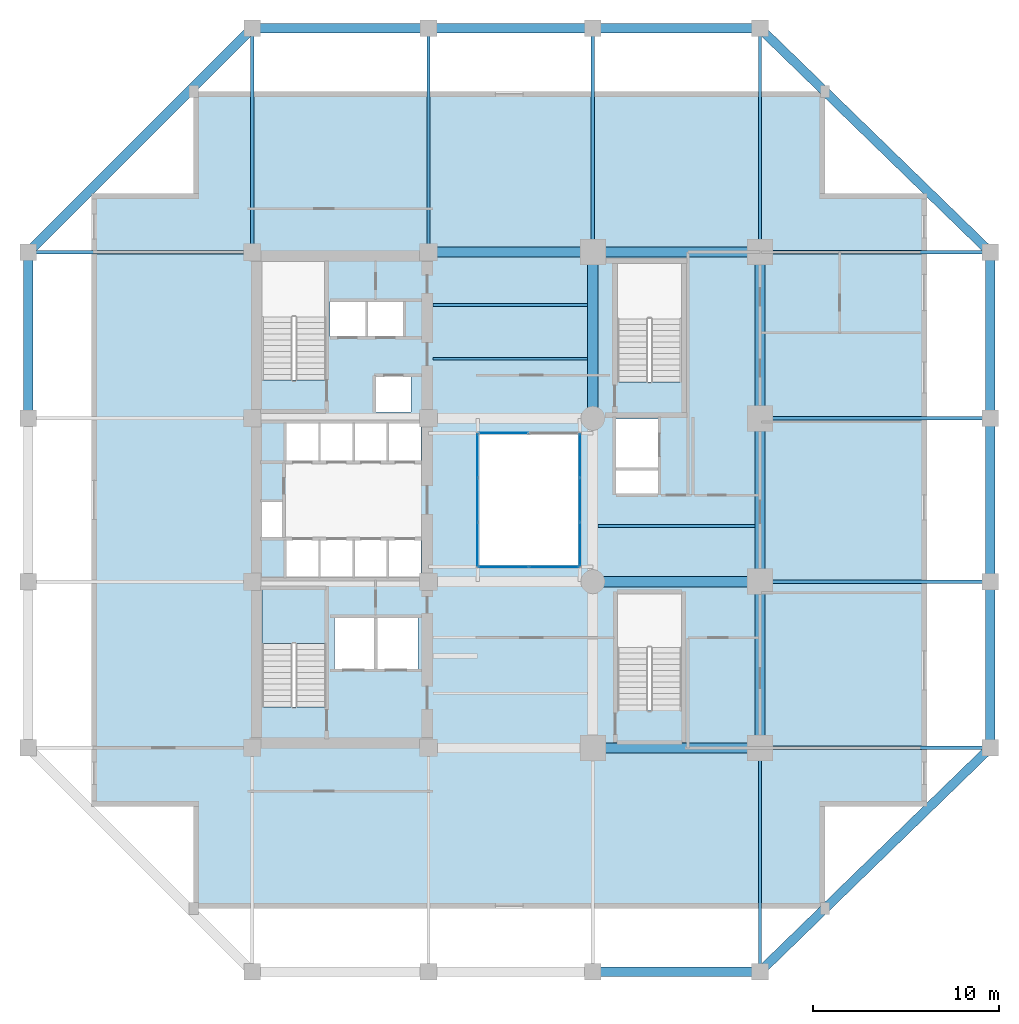
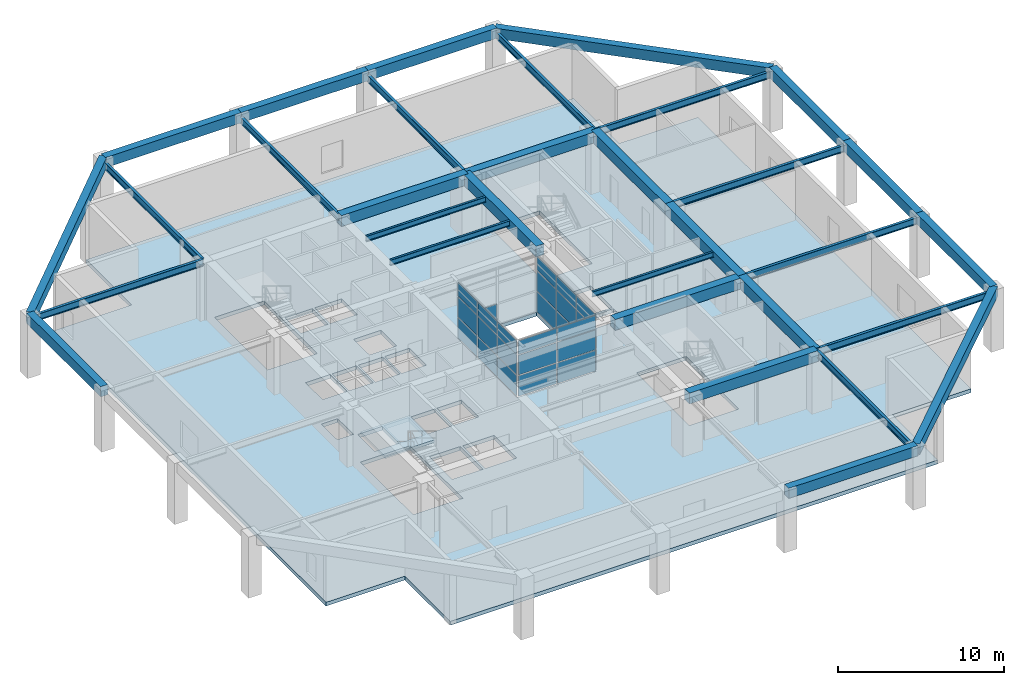
# One storey, part 5 of 10: 32 beams, 25 plates, 2 slabs, 5 elements without a shape of their own.
"""IFC4 building model written with IfcOpenShell, lengths in metres."""

from ifc_helpers import new_model, si_unit, direction, frame, origin, origin_2d, place, context, subcontext, project, spatial, polyline, rectangle, i_section, outline, extrude, material, layer, layer_set, material_profile, profile_set, type_object, element, aggregate, save


model = new_model("IFC4")

# Units and contexts
model_context = context("Model", 3, precision=1e-05, world=origin(), true_north=direction((0.0, 1.0)))
body_context = subcontext(model_context, "Body", "Model", "MODEL_VIEW")
ifc_project = project(units=[si_unit("LENGTHUNIT", "METRE"), si_unit("AREAUNIT", "SQUARE_METRE"), si_unit("VOLUMEUNIT", "CUBIC_METRE"), si_unit("PLANEANGLEUNIT", "RADIAN"), si_unit("MASSUNIT", "GRAM", prefix="KILO")], contexts=[model_context])

# Site, building, storey
site_placement = place(None, origin())
site = spatial("IfcSite", under=ifc_project, at=site_placement, CompositionType="ELEMENT")
building_placement = place(site_placement, origin())
building = spatial("IfcBuilding", under=site, at=building_placement, Name="Kundavana Baori Tower", CompositionType="ELEMENT")
storey_placement = place(building_placement, frame((0.0, 0.0, 8.0)))
storey = spatial("IfcBuildingStorey", under=building, at=storey_placement, Name="L01", CompositionType="ELEMENT", Elevation=8.0)

# Beams
ifc_material_1 = material(Name="Structural Steel S355JR", Category="steel")
ifc_material_profile_1 = material_profile(ifc_material_1, i_section(OverallWidth=0.139892578125, OverallDepth=0.39990234375, WebThickness=0.0087890625, FlangeThickness=0.01611328125, FilletRadius=0.013916015625, at=origin_2d()), Name="ISMB 400")
ifc_profile_set_1 = profile_set([ifc_material_profile_1], Name="Structural Steel S355JR")
beam_type_1 = type_object("IfcBeamType", Name="BM-JST-400", PredefinedType="JOIST", material=ifc_profile_set_1)
for number, where, z_axis, x_axis, name in (
    (1, (25.179931640625, 36.199951171875, 4.02001953125), (1.0, 0.0, 0.0), (0.0, 1.0, 0.0), "L01 Central Bay Composite Floor Joist C3"),
    (2, (25.179931640625, 39.10009765625, 4.02001953125), (1.0, 0.0, 0.0), (0.0, 1.0, 0.0), "L01 Central Bay Composite Floor Joist C4"),
):
    element("IfcBeam", number, at=place(storey_placement, frame(where, z_axis=z_axis, x_axis=x_axis)), inside=storey, type_object=beam_type_1, Name=name, PredefinedType="JOIST", context=body_context, shape_type="SweptSolid", body=[
        extrude(i_section(OverallWidth=0.139892578125, OverallDepth=0.39990234375, WebThickness=0.0087890625, FlangeThickness=0.01611328125, FilletRadius=0.013916015625, at=origin_2d()), origin(), (0.0, 0.0, 1.0), 8.344970703125),
    ])
beam_1_placement = place(storey_placement, frame((34.074951171875, 27.199951171875, 4.02001953125), z_axis=(1.0, 0.0, 0.0), x_axis=(0.0, 1.0, 0.0)))
element("IfcBeam", 3, at=beam_1_placement, inside=storey, type_object=beam_type_1, Name="L01 East Bay Composite Floor Joist E3", PredefinedType="JOIST", context=body_context, shape_type="SweptSolid", body=[
    extrude(i_section(OverallWidth=0.139892578125, OverallDepth=0.39990234375, WebThickness=0.0087890625, FlangeThickness=0.01611328125, FilletRadius=0.013916015625, at=origin_2d()), origin(), (0.0, 0.0, 1.0), 8.449951171875),
])
ifc_material_2 = material(Name="Concrete C50/60", Category="concrete")
ifc_material_profile_2 = material_profile(ifc_material_2, rectangle(XDim=0.5, YDim=0.75, at=origin_2d()), Name="RC BM 500x750")
ifc_profile_set_2 = profile_set([ifc_material_profile_2], Name="Concrete C50/60")
beam_type_2 = type_object("IfcBeamType", Name="BM-PF-750", PredefinedType="SPANDREL", material=ifc_profile_set_2)
beam_2_placement = place(storey_placement, frame((33.800048828125, 3.199951171875, 4.125), z_axis=(1.0, 0.0, 0.0), x_axis=(0.0, 1.0, 0.0)))
element("IfcBeam", 4, at=beam_2_placement, inside=storey, type_object=beam_type_2, Name="L01 Perimeter Frame Ring Beam S3", PredefinedType="SPANDREL", context=body_context, shape_type="SweptSolid", body=[
    extrude(rectangle(XDim=0.5, YDim=0.75, at=origin_2d()), origin(), (0.0, 0.0, 1.0), 9.0),
])
beam_3_placement = place(storey_placement, frame((15.449951171875, 54.0, 4.125), z_axis=(1.0, 0.0, 0.0), x_axis=(0.0, 1.0, 0.0)))
element("IfcBeam", 5, at=beam_3_placement, inside=storey, type_object=beam_type_2, Name="L01 Perimeter Frame Ring Beam N1", PredefinedType="SPANDREL", context=body_context, shape_type="SweptSolid", body=[
    extrude(rectangle(XDim=0.5, YDim=0.75, at=origin_2d()), origin(), (0.0, 0.0, 1.0), 9.5),
])
beam_4_placement = place(storey_placement, frame((24.949951171875, 54.0, 4.125), z_axis=(1.0, 0.0, 0.0), x_axis=(0.0, 1.0, 0.0)))
element("IfcBeam", 6, at=beam_4_placement, inside=storey, type_object=beam_type_2, Name="L01 Perimeter Frame Ring Beam N2", PredefinedType="SPANDREL", context=body_context, shape_type="SweptSolid", body=[
    extrude(rectangle(XDim=0.5, YDim=0.75, at=origin_2d()), origin(), (0.0, 0.0, 1.0), 8.85009765625),
])
beam_5_placement = place(storey_placement, frame((33.800048828125, 54.0, 4.125), z_axis=(1.0, 0.0, 0.0), x_axis=(0.0, 1.0, 0.0)))
element("IfcBeam", 7, at=beam_5_placement, inside=storey, type_object=beam_type_2, Name="L01 Perimeter Frame Ring Beam N3", PredefinedType="SPANDREL", context=body_context, shape_type="SweptSolid", body=[
    extrude(rectangle(XDim=0.5, YDim=0.75, at=origin_2d()), origin(), (0.0, 0.0, 1.0), 9.0),
])
for number, where, z_axis, x_axis, name in (
    (8, (3.39990234375, 33.0, 4.125), (0.0, 1.0, 0.0), (-1.0, 0.0, 0.0), "L01 Perimeter Frame Ring Beam W3"),
    (9, (55.199951171875, 15.25, 4.125), (0.0, 1.0, 0.0), (-1.0, 0.0, 0.0), "L01 Perimeter Frame Ring Beam E1"),
):
    element("IfcBeam", number, at=place(storey_placement, frame(where, z_axis=z_axis, x_axis=x_axis)), inside=storey, type_object=beam_type_2, Name=name, PredefinedType="SPANDREL", context=body_context, shape_type="SweptSolid", body=[
        extrude(rectangle(XDim=0.5, YDim=0.75, at=origin_2d()), origin(), (0.0, 0.0, 1.0), 8.949951171875),
    ])
beam_6_placement = place(storey_placement, frame((55.199951171875, 24.199951171875, 4.125), z_axis=(0.0, 1.0, 0.0), x_axis=(-1.0, 0.0, 0.0)))
element("IfcBeam", 10, at=beam_6_placement, inside=storey, type_object=beam_type_2, Name="L01 Perimeter Frame Ring Beam E2", PredefinedType="SPANDREL", context=body_context, shape_type="SweptSolid", body=[
    extrude(rectangle(XDim=0.5, YDim=0.75, at=origin_2d()), origin(), (0.0, 0.0, 1.0), 8.800048828125),
])
beam_7_placement = place(storey_placement, frame((55.199951171875, 33.0, 4.125), z_axis=(0.0, 1.0, 0.0), x_axis=(-1.0, 0.0, 0.0)))
element("IfcBeam", 11, at=beam_7_placement, inside=storey, type_object=beam_type_2, Name="L01 Perimeter Frame Ring Beam E3", PredefinedType="SPANDREL", context=body_context, shape_type="SweptSolid", body=[
    extrude(rectangle(XDim=0.5, YDim=0.75, at=origin_2d()), origin(), (0.0, 0.0, 1.0), 8.949951171875),
])
beam_8_placement = place(storey_placement, frame((42.800048828125, 3.199951171875, 4.125), z_axis=(0.717151334594, 0.696917472367, 0.0), x_axis=(-0.696917472367, 0.717151334594, 0.0)))
element("IfcBeam", 12, at=beam_8_placement, inside=storey, type_object=beam_type_2, Name="L01 Notched Corner Perimeter Beam SE", PredefinedType="SPANDREL", context=body_context, shape_type="SweptSolid", body=[
    extrude(rectangle(XDim=0.5, YDim=0.75, at=origin_2d()), origin(), (0.0, 0.0, 1.0), 17.29052734375),
])
beam_9_placement = place(storey_placement, frame((15.449951171875, 54.0, 4.125), z_axis=(-0.707106781187, -0.707106781187, 0.0), x_axis=(0.707106781187, -0.707106781187, 0.0)))
element("IfcBeam", 13, at=beam_9_placement, inside=storey, type_object=beam_type_2, Name="L01 Notched Corner Perimeter Beam NW", PredefinedType="SPANDREL", context=body_context, shape_type="SweptSolid", body=[
    extrude(rectangle(XDim=0.5, YDim=0.75, at=origin_2d()), origin(), (0.0, 0.0, 1.0), 17.041259765625),
])
beam_10_placement = place(storey_placement, frame((42.800048828125, 54.0, 4.125), z_axis=(0.717151334594, -0.696917472367, 0.0), x_axis=(0.696917472367, 0.717151334594, 0.0)))
element("IfcBeam", 14, at=beam_10_placement, inside=storey, type_object=beam_type_2, Name="L01 Notched Corner Perimeter Beam NE", PredefinedType="SPANDREL", context=body_context, shape_type="SweptSolid", body=[
    extrude(rectangle(XDim=0.5, YDim=0.75, at=origin_2d()), origin(), (0.0, 0.0, 1.0), 17.29052734375),
])
ifc_material_3 = material(Name="Concrete C50/60", Category="concrete")
ifc_material_profile_3 = material_profile(ifc_material_3, rectangle(XDim=0.550048828125, YDim=0.800048828125, at=origin_2d()), Name="RC BM 550x800")
ifc_profile_set_3 = profile_set([ifc_material_profile_3], Name="Concrete C50/60")
beam_type_3 = type_object("IfcBeamType", Name="BM-RC-800", PredefinedType="BEAM", material=ifc_profile_set_3)
for number, where, z_axis, x_axis, name in (
    (15, (33.800048828125, 15.25, 3.820068359375), (1.0, 0.0, 0.0), (0.0, 1.0, 0.0), "L01 Primary Grid Girder GX-1-3"),
    (16, (33.800048828125, 24.199951171875, 3.820068359375), (1.0, 0.0, 0.0), (0.0, 1.0, 0.0), "L01 Primary Grid Girder GX-2-3"),
):
    element("IfcBeam", number, at=place(storey_placement, frame(where, z_axis=z_axis, x_axis=x_axis)), inside=storey, type_object=beam_type_3, Name=name, PredefinedType="BEAM", context=body_context, shape_type="SweptSolid", body=[
        extrude(rectangle(XDim=0.550048828125, YDim=0.800048828125, at=origin_2d()), origin(), (0.0, 0.0, 1.0), 9.0),
    ])
beam_11_placement = place(storey_placement, frame((24.949951171875, 41.949951171875, 3.820068359375), z_axis=(1.0, 0.0, 0.0), x_axis=(0.0, 1.0, 0.0)))
element("IfcBeam", 17, at=beam_11_placement, inside=storey, type_object=beam_type_3, Name="L01 Primary Grid Girder GX-4-2", PredefinedType="BEAM", context=body_context, shape_type="SweptSolid", body=[
    extrude(rectangle(XDim=0.550048828125, YDim=0.800048828125, at=origin_2d()), origin(), (0.0, 0.0, 1.0), 8.85009765625),
])
beam_12_placement = place(storey_placement, frame((33.800048828125, 41.949951171875, 3.820068359375), z_axis=(1.0, 0.0, 0.0), x_axis=(0.0, 1.0, 0.0)))
element("IfcBeam", 18, at=beam_12_placement, inside=storey, type_object=beam_type_3, Name="L01 Primary Grid Girder GX-4-3", PredefinedType="BEAM", context=body_context, shape_type="SweptSolid", body=[
    extrude(rectangle(XDim=0.550048828125, YDim=0.800048828125, at=origin_2d()), origin(), (0.0, 0.0, 1.0), 9.0),
])
for number, where, z_axis, x_axis, name in (
    (19, (33.800048828125, 33.0, 3.820068359375), (0.0, 1.0, 0.0), (-1.0, 0.0, 0.0), "L01 Primary Grid Girder GY-3-3"),
    (20, (42.800048828125, 15.25, 3.820068359375), (0.0, 1.0, 0.0), (-1.0, 0.0, 0.0), "L01 Primary Grid Girder GY-4-1"),
):
    element("IfcBeam", number, at=place(storey_placement, frame(where, z_axis=z_axis, x_axis=x_axis)), inside=storey, type_object=beam_type_3, Name=name, PredefinedType="BEAM", context=body_context, shape_type="SweptSolid", body=[
        extrude(rectangle(XDim=0.550048828125, YDim=0.800048828125, at=origin_2d()), origin(), (0.0, 0.0, 1.0), 8.949951171875),
    ])
beam_13_placement = place(storey_placement, frame((42.800048828125, 24.199951171875, 3.820068359375), z_axis=(0.0, 1.0, 0.0), x_axis=(-1.0, 0.0, 0.0)))
element("IfcBeam", 21, at=beam_13_placement, inside=storey, type_object=beam_type_3, Name="L01 Primary Grid Girder GY-4-2", PredefinedType="BEAM", context=body_context, shape_type="SweptSolid", body=[
    extrude(rectangle(XDim=0.550048828125, YDim=0.800048828125, at=origin_2d()), origin(), (0.0, 0.0, 1.0), 8.800048828125),
])
beam_14_placement = place(storey_placement, frame((42.800048828125, 33.0, 3.820068359375), z_axis=(0.0, 1.0, 0.0), x_axis=(-1.0, 0.0, 0.0)))
element("IfcBeam", 22, at=beam_14_placement, inside=storey, type_object=beam_type_3, Name="L01 Primary Grid Girder GY-4-3", PredefinedType="BEAM", context=body_context, shape_type="SweptSolid", body=[
    extrude(rectangle(XDim=0.550048828125, YDim=0.800048828125, at=origin_2d()), origin(), (0.0, 0.0, 1.0), 8.949951171875),
])
ifc_material_4 = material(Name="Structural Steel S355JR", Category="steel")
ifc_material_profile_4 = material_profile(ifc_material_4, i_section(OverallWidth=0.179931640625, OverallDepth=0.5, WebThickness=0.01025390625, FlangeThickness=0.01708984375, FilletRadius=0.01708984375, at=origin_2d()), Name="ISMB 500")
ifc_profile_set_4 = profile_set([ifc_material_profile_4], Name="Structural Steel S355JR")
beam_type_4 = type_object("IfcBeamType", Name="BM-TIE-500", PredefinedType="BEAM", material=ifc_profile_set_4)
for number, where, z_axis, x_axis, name in (
    (23, (15.449951171875, 41.949951171875, 3.969970703125), (0.0, 1.0, 0.0), (-1.0, 0.0, 0.0), "L01 North Radial Loggia Tie Beam N1"),
    (24, (24.949951171875, 41.949951171875, 3.969970703125), (0.0, 1.0, 0.0), (-1.0, 0.0, 0.0), "L01 North Radial Loggia Tie Beam N2"),
    (25, (33.800048828125, 41.949951171875, 3.969970703125), (0.0, 1.0, 0.0), (-1.0, 0.0, 0.0), "L01 North Radial Loggia Tie Beam N3"),
    (26, (42.800048828125, 15.25, 3.969970703125), (0.0, -1.0, 0.0), (1.0, 0.0, 0.0), "L01 South Radial Loggia Tie Beam S4"),
    (27, (42.800048828125, 41.949951171875, 3.969970703125), (0.0, 1.0, 0.0), (-1.0, 0.0, 0.0), "L01 North Radial Loggia Tie Beam N4"),
):
    element("IfcBeam", number, at=place(storey_placement, frame(where, z_axis=z_axis, x_axis=x_axis)), inside=storey, type_object=beam_type_4, Name=name, PredefinedType="BEAM", context=body_context, shape_type="SweptSolid", body=[
        extrude(i_section(OverallWidth=0.179931640625, OverallDepth=0.5, WebThickness=0.01025390625, FlangeThickness=0.01708984375, FilletRadius=0.01708984375, at=origin_2d()), origin(), (0.0, 0.0, 1.0), 12.050048828125),
    ])
for number, where, z_axis, x_axis, name in (
    (28, (42.800048828125, 15.25, 3.969970703125), (1.0, 0.0, 0.0), (0.0, 1.0, 0.0), "L01 East Radial Loggia Tie Beam E1"),
    (29, (42.800048828125, 24.199951171875, 3.969970703125), (1.0, 0.0, 0.0), (0.0, 1.0, 0.0), "L01 East Radial Loggia Tie Beam E2"),
    (30, (42.800048828125, 33.0, 3.969970703125), (1.0, 0.0, 0.0), (0.0, 1.0, 0.0), "L01 East Radial Loggia Tie Beam E3"),
):
    element("IfcBeam", number, at=place(storey_placement, frame(where, z_axis=z_axis, x_axis=x_axis)), inside=storey, type_object=beam_type_4, Name=name, PredefinedType="BEAM", context=body_context, shape_type="SweptSolid", body=[
        extrude(i_section(OverallWidth=0.179931640625, OverallDepth=0.5, WebThickness=0.01025390625, FlangeThickness=0.01708984375, FilletRadius=0.01708984375, at=origin_2d()), origin(), (0.0, 0.0, 1.0), 12.39990234375),
    ])
beam_15_placement = place(storey_placement, frame((15.449951171875, 41.949951171875, 3.969970703125), z_axis=(-1.0, 0.0, 0.0), x_axis=(0.0, -1.0, 0.0)))
element("IfcBeam", 31, at=beam_15_placement, inside=storey, type_object=beam_type_4, Name="L01 West Radial Loggia Tie Beam W4", PredefinedType="BEAM", context=body_context, shape_type="SweptSolid", body=[
    extrude(i_section(OverallWidth=0.179931640625, OverallDepth=0.5, WebThickness=0.01025390625, FlangeThickness=0.01708984375, FilletRadius=0.01708984375, at=origin_2d()), origin(), (0.0, 0.0, 1.0), 12.050048828125),
])
beam_16_placement = place(storey_placement, frame((42.800048828125, 41.949951171875, 3.969970703125), z_axis=(1.0, 0.0, 0.0), x_axis=(0.0, 1.0, 0.0)))
element("IfcBeam", 32, at=beam_16_placement, inside=storey, type_object=beam_type_4, Name="L01 East Radial Loggia Tie Beam E4", PredefinedType="BEAM", context=body_context, shape_type="SweptSolid", body=[
    extrude(i_section(OverallWidth=0.179931640625, OverallDepth=0.5, WebThickness=0.01025390625, FlangeThickness=0.01708984375, FilletRadius=0.01708984375, at=origin_2d()), origin(), (0.0, 0.0, 1.0), 12.39990234375),
])

# Curtain wall, plates
ifc_material_5 = material(Name="Thermally Broken Anodised Aluminium Framing", Category="aluminium")
ifc_layer_1 = layer(ifc_material_5, 0.159912109375, Name="CW-SYS-1")
ifc_layer_set_1 = layer_set([ifc_layer_1], Name="Thermally Broken Anodised Aluminium Framing")
curtain_wall_type = type_object("IfcCurtainWallType", Name="CW-SYS-1", PredefinedType="NOTDEFINED", material=ifc_layer_set_1)
curtain_wall_1_placement = place(storey_placement, origin())
curtain_wall_1 = element("IfcCurtainWall", 33, at=curtain_wall_1_placement, inside=storey, type_object=curtain_wall_type, Name="L01 Atrium Glazed Curtain Wall S", PredefinedType="NOTDEFINED")
ifc_material_6 = material(Name="Double-Glazed Solar-Control Low-E Insulated Glass", Category="glass")
ifc_layer_2 = layer(ifc_material_6, 0.028076171875, Name="CW-PNL-GLS28")
ifc_layer_set_2 = layer_set([ifc_layer_2], Name="Double-Glazed Solar-Control Low-E Insulated Glass")
plate_type = type_object("IfcPlateType", Name="CW-PNL-GLS28", PredefinedType="CURTAIN_PANEL", material=ifc_layer_set_2)
plate_1_placement = place(storey_placement, frame((28.9912109375, 25.0, 0.06494140625), z_axis=(0.0, 0.0, 1.0), x_axis=(1.0, 0.0, 0.0)))
plate_1 = element("IfcPlate", 34, at=plate_1_placement, type_object=plate_type, Name="CW1 panel 1.1", PredefinedType="CURTAIN_PANEL", context=body_context, shape_type="SweptSolid", body=[
    extrude(rectangle(XDim=2.652587890625, YDim=0.028076171875, at=origin_2d()), origin(), (0.0, 0.0, 1.0), 1.506103515625),
])
plate_2_placement = place(storey_placement, frame((28.9912109375, 25.0, 1.63623046875), z_axis=(0.0, 0.0, 1.0), x_axis=(1.0, 0.0, 0.0)))
plate_2 = element("IfcPlate", 35, at=plate_2_placement, type_object=plate_type, Name="CW1 panel 1.2", PredefinedType="CURTAIN_PANEL", context=body_context, shape_type="SweptSolid", body=[
    extrude(rectangle(XDim=2.652587890625, YDim=0.028076171875, at=origin_2d()), origin(), (0.0, 0.0, 1.0), 1.4541015625),
])
plate_3_placement = place(storey_placement, frame((28.9912109375, 25.0, 3.1552734375), z_axis=(0.0, 0.0, 1.0), x_axis=(1.0, 0.0, 0.0)))
plate_3 = element("IfcPlate", 36, at=plate_3_placement, type_object=plate_type, Name="CW1 panel 1.3", PredefinedType="CURTAIN_PANEL", context=body_context, shape_type="SweptSolid", body=[
    extrude(rectangle(XDim=2.652587890625, YDim=0.028076171875, at=origin_2d()), origin(), (0.0, 0.0, 1.0), 0.999755859375),
])
plate_4_placement = place(storey_placement, frame((31.708740234375, 25.0, 0.06494140625), z_axis=(0.0, 0.0, 1.0), x_axis=(1.0, 0.0, 0.0)))
plate_4 = element("IfcPlate", 37, at=plate_4_placement, type_object=plate_type, Name="CW1 panel 2.1", PredefinedType="CURTAIN_PANEL", context=body_context, shape_type="SweptSolid", body=[
    extrude(rectangle(XDim=2.652587890625, YDim=0.028076171875, at=origin_2d()), origin(), (0.0, 0.0, 1.0), 1.506103515625),
])
plate_5_placement = place(storey_placement, frame((31.708740234375, 25.0, 1.63623046875), z_axis=(0.0, 0.0, 1.0), x_axis=(1.0, 0.0, 0.0)))
plate_5 = element("IfcPlate", 38, at=plate_5_placement, type_object=plate_type, Name="CW1 panel 2.2", PredefinedType="CURTAIN_PANEL", context=body_context, shape_type="SweptSolid", body=[
    extrude(rectangle(XDim=2.652587890625, YDim=0.028076171875, at=origin_2d()), origin(), (0.0, 0.0, 1.0), 1.4541015625),
])
plate_6_placement = place(storey_placement, frame((31.708740234375, 25.0, 3.1552734375), z_axis=(0.0, 0.0, 1.0), x_axis=(1.0, 0.0, 0.0)))
plate_6 = element("IfcPlate", 39, at=plate_6_placement, type_object=plate_type, Name="CW1 panel 2.3", PredefinedType="CURTAIN_PANEL", context=body_context, shape_type="SweptSolid", body=[
    extrude(rectangle(XDim=2.652587890625, YDim=0.028076171875, at=origin_2d()), origin(), (0.0, 0.0, 1.0), 0.999755859375),
])
aggregate(curtain_wall_1, [plate_1, plate_2, plate_3, plate_4, plate_5, plate_6])

curtain_wall_2_placement = place(storey_placement, origin())
curtain_wall_2 = element("IfcCurtainWall", 40, at=curtain_wall_2_placement, inside=storey, type_object=curtain_wall_type, Name="L01 Atrium Glazed Curtain Wall E", PredefinedType="NOTDEFINED")
plate_7_placement = place(storey_placement, frame((33.10009765625, 26.21630859375, 0.06494140625), z_axis=(0.0, 0.0, 1.0), x_axis=(0.0, 1.0, 0.0)))
plate_7 = element("IfcPlate", 41, at=plate_7_placement, type_object=plate_type, Name="CW1 panel 1.1", PredefinedType="CURTAIN_PANEL", context=body_context, shape_type="SweptSolid", body=[
    extrude(rectangle(XDim=2.302490234375, YDim=0.028076171875, at=origin_2d()), origin(), (0.0, 0.0, 1.0), 1.506103515625),
])
plate_8_placement = place(storey_placement, frame((33.10009765625, 26.21630859375, 1.63623046875), z_axis=(0.0, 0.0, 1.0), x_axis=(0.0, 1.0, 0.0)))
plate_8 = element("IfcPlate", 42, at=plate_8_placement, type_object=plate_type, Name="CW1 panel 1.2", PredefinedType="CURTAIN_PANEL", context=body_context, shape_type="SweptSolid", body=[
    extrude(rectangle(XDim=2.302490234375, YDim=0.028076171875, at=origin_2d()), origin(), (0.0, 0.0, 1.0), 1.4541015625),
])
plate_9_placement = place(storey_placement, frame((33.10009765625, 26.21630859375, 3.1552734375), z_axis=(0.0, 0.0, 1.0), x_axis=(0.0, 1.0, 0.0)))
plate_9 = element("IfcPlate", 43, at=plate_9_placement, type_object=plate_type, Name="CW1 panel 1.3", PredefinedType="CURTAIN_PANEL", context=body_context, shape_type="SweptSolid", body=[
    extrude(rectangle(XDim=2.302490234375, YDim=0.028076171875, at=origin_2d()), origin(), (0.0, 0.0, 1.0), 0.999755859375),
])
plate_10_placement = place(storey_placement, frame((33.10009765625, 28.60009765625, 0.06494140625), z_axis=(0.0, 0.0, 1.0), x_axis=(0.0, 1.0, 0.0)))
plate_10 = element("IfcPlate", 44, at=plate_10_placement, type_object=plate_type, Name="CW1 panel 2.1", PredefinedType="CURTAIN_PANEL", context=body_context, shape_type="SweptSolid", body=[
    extrude(rectangle(XDim=2.3349609375, YDim=0.028076171875, at=origin_2d()), origin(), (0.0, 0.0, 1.0), 1.506103515625),
])
plate_11_placement = place(storey_placement, frame((33.10009765625, 28.60009765625, 1.63623046875), z_axis=(0.0, 0.0, 1.0), x_axis=(0.0, 1.0, 0.0)))
plate_11 = element("IfcPlate", 45, at=plate_11_placement, type_object=plate_type, Name="CW1 panel 2.2", PredefinedType="CURTAIN_PANEL", context=body_context, shape_type="SweptSolid", body=[
    extrude(rectangle(XDim=2.3349609375, YDim=0.028076171875, at=origin_2d()), origin(), (0.0, 0.0, 1.0), 1.4541015625),
])
plate_12_placement = place(storey_placement, frame((33.10009765625, 28.60009765625, 3.1552734375), z_axis=(0.0, 0.0, 1.0), x_axis=(0.0, 1.0, 0.0)))
plate_12 = element("IfcPlate", 46, at=plate_12_placement, type_object=plate_type, Name="CW1 panel 2.3", PredefinedType="CURTAIN_PANEL", context=body_context, shape_type="SweptSolid", body=[
    extrude(rectangle(XDim=2.3349609375, YDim=0.028076171875, at=origin_2d()), origin(), (0.0, 0.0, 1.0), 0.999755859375),
])
plate_13_placement = place(storey_placement, frame((33.10009765625, 30.983642578125, 0.06494140625), z_axis=(0.0, 0.0, 1.0), x_axis=(0.0, 1.0, 0.0)))
plate_13 = element("IfcPlate", 47, at=plate_13_placement, type_object=plate_type, Name="CW1 panel 3.1", PredefinedType="CURTAIN_PANEL", context=body_context, shape_type="SweptSolid", body=[
    extrude(rectangle(XDim=2.302490234375, YDim=0.028076171875, at=origin_2d()), origin(), (0.0, 0.0, 1.0), 1.506103515625),
])
plate_14_placement = place(storey_placement, frame((33.10009765625, 30.983642578125, 1.63623046875), z_axis=(0.0, 0.0, 1.0), x_axis=(0.0, 1.0, 0.0)))
plate_14 = element("IfcPlate", 48, at=plate_14_placement, type_object=plate_type, Name="CW1 panel 3.2", PredefinedType="CURTAIN_PANEL", context=body_context, shape_type="SweptSolid", body=[
    extrude(rectangle(XDim=2.302490234375, YDim=0.028076171875, at=origin_2d()), origin(), (0.0, 0.0, 1.0), 1.4541015625),
])
plate_15_placement = place(storey_placement, frame((33.10009765625, 30.983642578125, 3.1552734375), z_axis=(0.0, 0.0, 1.0), x_axis=(0.0, 1.0, 0.0)))
plate_15 = element("IfcPlate", 49, at=plate_15_placement, type_object=plate_type, Name="CW1 panel 3.3", PredefinedType="CURTAIN_PANEL", context=body_context, shape_type="SweptSolid", body=[
    extrude(rectangle(XDim=2.302490234375, YDim=0.028076171875, at=origin_2d()), origin(), (0.0, 0.0, 1.0), 0.999755859375),
])
aggregate(curtain_wall_2, [plate_7, plate_8, plate_9, plate_10, plate_11, plate_12, plate_13, plate_14, plate_15])

# Curtain wall, plate
curtain_wall_3_placement = place(storey_placement, origin())
curtain_wall_3 = element("IfcCurtainWall", 50, at=curtain_wall_3_placement, inside=storey, type_object=curtain_wall_type, Name="L01 Atrium Glazed Curtain Wall N", PredefinedType="NOTDEFINED")
plate_16_placement = place(storey_placement, frame((28.9912109375, 32.199951171875, 0.06494140625), z_axis=(0.0, 0.0, 1.0), x_axis=(-1.0, 0.0, 0.0)))
plate_16 = element("IfcPlate", 51, at=plate_16_placement, type_object=plate_type, Name="CW1 panel 2.1", PredefinedType="CURTAIN_PANEL", context=body_context, shape_type="SweptSolid", body=[
    extrude(rectangle(XDim=2.652587890625, YDim=0.028076171875, at=origin_2d()), origin(), (0.0, 0.0, 1.0), 1.506103515625),
])
aggregate(curtain_wall_3, [plate_16])

# Curtain wall, plates
curtain_wall_4_placement = place(storey_placement, origin())
curtain_wall_4 = element("IfcCurtainWall", 52, at=curtain_wall_4_placement, inside=storey, type_object=curtain_wall_type, Name="L01 Atrium Glazed Curtain Wall W", PredefinedType="NOTDEFINED")
plate_17_placement = place(storey_placement, frame((27.60009765625, 30.983642578125, 0.06494140625), z_axis=(0.0, 0.0, 1.0), x_axis=(0.0, -1.0, 0.0)))
plate_17 = element("IfcPlate", 53, at=plate_17_placement, type_object=plate_type, Name="CW1 panel 1.1", PredefinedType="CURTAIN_PANEL", context=body_context, shape_type="SweptSolid", body=[
    extrude(rectangle(XDim=2.302490234375, YDim=0.028076171875, at=origin_2d()), origin(), (0.0, 0.0, 1.0), 1.506103515625),
])
plate_18_placement = place(storey_placement, frame((27.60009765625, 30.983642578125, 1.63623046875), z_axis=(0.0, 0.0, 1.0), x_axis=(0.0, -1.0, 0.0)))
plate_18 = element("IfcPlate", 54, at=plate_18_placement, type_object=plate_type, Name="CW1 panel 1.2", PredefinedType="CURTAIN_PANEL", context=body_context, shape_type="SweptSolid", body=[
    extrude(rectangle(XDim=2.302490234375, YDim=0.028076171875, at=origin_2d()), origin(), (0.0, 0.0, 1.0), 1.4541015625),
])
plate_19_placement = place(storey_placement, frame((27.60009765625, 30.983642578125, 3.1552734375), z_axis=(0.0, 0.0, 1.0), x_axis=(0.0, -1.0, 0.0)))
plate_19 = element("IfcPlate", 55, at=plate_19_placement, type_object=plate_type, Name="CW1 panel 1.3", PredefinedType="CURTAIN_PANEL", context=body_context, shape_type="SweptSolid", body=[
    extrude(rectangle(XDim=2.302490234375, YDim=0.028076171875, at=origin_2d()), origin(), (0.0, 0.0, 1.0), 0.999755859375),
])
plate_20_placement = place(storey_placement, frame((27.60009765625, 28.60009765625, 0.06494140625), z_axis=(0.0, 0.0, 1.0), x_axis=(0.0, -1.0, 0.0)))
plate_20 = element("IfcPlate", 56, at=plate_20_placement, type_object=plate_type, Name="CW1 panel 2.1", PredefinedType="CURTAIN_PANEL", context=body_context, shape_type="SweptSolid", body=[
    extrude(rectangle(XDim=2.3349609375, YDim=0.028076171875, at=origin_2d()), origin(), (0.0, 0.0, 1.0), 1.506103515625),
])
plate_21_placement = place(storey_placement, frame((27.60009765625, 28.60009765625, 1.63623046875), z_axis=(0.0, 0.0, 1.0), x_axis=(0.0, -1.0, 0.0)))
plate_21 = element("IfcPlate", 57, at=plate_21_placement, type_object=plate_type, Name="CW1 panel 2.2", PredefinedType="CURTAIN_PANEL", context=body_context, shape_type="SweptSolid", body=[
    extrude(rectangle(XDim=2.3349609375, YDim=0.028076171875, at=origin_2d()), origin(), (0.0, 0.0, 1.0), 1.4541015625),
])
plate_22_placement = place(storey_placement, frame((27.60009765625, 28.60009765625, 3.1552734375), z_axis=(0.0, 0.0, 1.0), x_axis=(0.0, -1.0, 0.0)))
plate_22 = element("IfcPlate", 58, at=plate_22_placement, type_object=plate_type, Name="CW1 panel 2.3", PredefinedType="CURTAIN_PANEL", context=body_context, shape_type="SweptSolid", body=[
    extrude(rectangle(XDim=2.3349609375, YDim=0.028076171875, at=origin_2d()), origin(), (0.0, 0.0, 1.0), 0.999755859375),
])
plate_23_placement = place(storey_placement, frame((27.60009765625, 26.21630859375, 0.06494140625), z_axis=(0.0, 0.0, 1.0), x_axis=(0.0, -1.0, 0.0)))
plate_23 = element("IfcPlate", 59, at=plate_23_placement, type_object=plate_type, Name="CW1 panel 3.1", PredefinedType="CURTAIN_PANEL", context=body_context, shape_type="SweptSolid", body=[
    extrude(rectangle(XDim=2.302490234375, YDim=0.028076171875, at=origin_2d()), origin(), (0.0, 0.0, 1.0), 1.506103515625),
])
plate_24_placement = place(storey_placement, frame((27.60009765625, 26.21630859375, 1.63623046875), z_axis=(0.0, 0.0, 1.0), x_axis=(0.0, -1.0, 0.0)))
plate_24 = element("IfcPlate", 60, at=plate_24_placement, type_object=plate_type, Name="CW1 panel 3.2", PredefinedType="CURTAIN_PANEL", context=body_context, shape_type="SweptSolid", body=[
    extrude(rectangle(XDim=2.302490234375, YDim=0.028076171875, at=origin_2d()), origin(), (0.0, 0.0, 1.0), 1.4541015625),
])
plate_25_placement = place(storey_placement, frame((27.60009765625, 26.21630859375, 3.1552734375), z_axis=(0.0, 0.0, 1.0), x_axis=(0.0, -1.0, 0.0)))
plate_25 = element("IfcPlate", 61, at=plate_25_placement, type_object=plate_type, Name="CW1 panel 3.3", PredefinedType="CURTAIN_PANEL", context=body_context, shape_type="SweptSolid", body=[
    extrude(rectangle(XDim=2.302490234375, YDim=0.028076171875, at=origin_2d()), origin(), (0.0, 0.0, 1.0), 0.999755859375),
])
aggregate(curtain_wall_4, [plate_17, plate_18, plate_19, plate_20, plate_21, plate_22, plate_23, plate_24, plate_25])

# Slab
ifc_material_7 = material(Name="Concrete C40/50", Category="concrete")
ifc_layer_3 = layer(ifc_material_7, 0.280029296875, Name="SLB-FLR-280")
ifc_layer_set_3 = layer_set([ifc_layer_3], Name="Concrete C40/50")
slab_type_1 = type_object("IfcSlabType", Name="SLB-FLR-280", PredefinedType="FLOOR", material=ifc_layer_set_3)
slab_1_placement = place(storey_placement, frame((0.0, 0.0, -0.280029296875)))
element("IfcSlab", 62, at=slab_1_placement, inside=storey, type_object=slab_type_1, Name="L01 Structural Floor Slab", PredefinedType="FLOOR", context=body_context, shape_type="SweptSolid", body=[
    extrude(outline(polyline([(12.300048828125, 6.60009765625), (46.300048828125, 6.60009765625), (46.300048828125, 12.10009765625), (51.800048828125, 12.10009765625), (51.800048828125, 45.10009765625), (46.300048828125, 45.10009765625), (46.300048828125, 50.60009765625), (12.300048828125, 50.60009765625), (12.300048828125, 45.10009765625), (6.800048828125, 45.10009765625), (6.800048828125, 12.10009765625), (12.300048828125, 12.10009765625), (12.300048828125, 6.60009765625)]), holes=[polyline([(19.43994140625, 17.4619140625), (19.43994140625, 23.85009765625), (15.97998046875, 23.85009765625), (15.97998046875, 17.4619140625), (19.43994140625, 17.4619140625)]), polyline([(19.43994140625, 35.06201171875), (19.43994140625, 41.449951171875), (15.97998046875, 41.449951171875), (15.97998046875, 35.06201171875), (19.43994140625, 35.06201171875)]), polyline([(38.580078125, 34.9619140625), (38.580078125, 41.35009765625), (35.1201171875, 41.35009765625), (35.1201171875, 34.9619140625), (38.580078125, 34.9619140625)]), polyline([(38.580078125, 17.261962890625), (38.580078125, 23.64990234375), (35.1201171875, 23.64990234375), (35.1201171875, 17.261962890625), (38.580078125, 17.261962890625)]), polyline([(17.300048828125, 24.39990234375), (19.02001953125, 24.39990234375), (19.02001953125, 26.449951171875), (17.300048828125, 26.449951171875), (17.300048828125, 24.39990234375)]), polyline([(19.139892578125, 24.39990234375), (20.860107421875, 24.39990234375), (20.860107421875, 26.449951171875), (19.139892578125, 26.449951171875), (19.139892578125, 24.39990234375)]), polyline([(20.97998046875, 24.39990234375), (22.699951171875, 24.39990234375), (22.699951171875, 26.449951171875), (20.97998046875, 26.449951171875), (20.97998046875, 24.39990234375)]), polyline([(22.820068359375, 24.39990234375), (24.5400390625, 24.39990234375), (24.5400390625, 26.449951171875), (22.820068359375, 26.449951171875), (22.820068359375, 24.39990234375)]), polyline([(17.300048828125, 30.699951171875), (19.02001953125, 30.699951171875), (19.02001953125, 32.75), (17.300048828125, 32.75), (17.300048828125, 30.699951171875)]), polyline([(19.139892578125, 30.699951171875), (20.860107421875, 30.699951171875), (20.860107421875, 32.75), (19.139892578125, 32.75), (19.139892578125, 30.699951171875)]), polyline([(20.97998046875, 30.699951171875), (22.699951171875, 30.699951171875), (22.699951171875, 32.75), (20.97998046875, 32.75), (20.97998046875, 30.699951171875)]), polyline([(22.820068359375, 30.699951171875), (24.5400390625, 30.699951171875), (24.5400390625, 32.75), (22.820068359375, 32.75), (22.820068359375, 30.699951171875)]), polyline([(19.64990234375, 37.39990234375), (21.550048828125, 37.39990234375), (21.550048828125, 39.300048828125), (19.64990234375, 39.300048828125), (19.64990234375, 37.39990234375)]), polyline([(21.699951171875, 37.39990234375), (23.60009765625, 37.39990234375), (23.60009765625, 39.300048828125), (21.699951171875, 39.300048828125), (21.699951171875, 37.39990234375)]), polyline([(22.10009765625, 33.35009765625), (24.0, 33.35009765625), (24.0, 35.25), (22.10009765625, 35.25), (22.10009765625, 33.35009765625)]), polyline([(19.8798828125, 19.5), (22.02001953125, 19.5), (22.02001953125, 22.25), (19.8798828125, 22.25), (19.8798828125, 19.5)]), polyline([(22.179931640625, 19.5), (24.3798828125, 19.5), (24.3798828125, 22.25), (22.179931640625, 22.25), (22.179931640625, 19.5)]), polyline([(35.050048828125, 30.35009765625), (37.300048828125, 30.35009765625), (37.300048828125, 32.949951171875), (35.050048828125, 32.949951171875), (35.050048828125, 30.35009765625)]), polyline([(15.949951171875, 26.60009765625), (17.080078125, 26.60009765625), (17.080078125, 28.5), (15.949951171875, 28.5), (15.949951171875, 26.60009765625)]), polyline([(35.050048828125, 28.949951171875), (37.300048828125, 28.949951171875), (37.300048828125, 30.199951171875), (35.050048828125, 30.199951171875), (35.050048828125, 28.949951171875)]), polyline([(27.60009765625, 25.0), (33.10009765625, 25.0), (33.10009765625, 32.199951171875), (27.60009765625, 32.199951171875), (27.60009765625, 25.0)])]), origin(), (0.0, 0.0, 1.0), 0.280029296875),
])

# Stair, slab
ifc_material_8 = material(Name="Concrete C40/50", Category="concrete")
stair_type = type_object("IfcStairType", Name="STR-DOG-1650", PredefinedType="HALF_TURN_STAIR", material=ifc_material_8)
stair_placement = place(storey_placement, origin())
stair = element("IfcStair", 63, at=stair_placement, inside=storey, type_object=stair_type, Name="L01 Protected Exit Stair ST1", PredefinedType="HALF_TURN_STAIR")
ifc_material_9 = material(Name="Concrete C40/50", Category="concrete")
ifc_layer_4 = layer(ifc_material_9, 0.199951171875, Name="SLB-LND-200")
ifc_layer_set_4 = layer_set([ifc_layer_4], Name="Concrete C40/50")
slab_type_2 = type_object("IfcSlabType", Name="SLB-LND-200", PredefinedType="LANDING", material=ifc_layer_set_4)
slab_2_placement = place(storey_placement, frame((0.0, 0.0, 2.050048828125)))
slab_2 = element("IfcSlab", 64, at=slab_2_placement, type_object=slab_type_2, Name="ST1 landing 1", PredefinedType="LANDING", context=body_context, shape_type="SweptSolid", body=[
    extrude(outline(polyline([(19.43994140625, 20.860107421875), (19.43994140625, 23.85009765625), (15.97998046875, 23.85009765625), (15.97998046875, 20.860107421875), (19.43994140625, 20.860107421875)])), origin(), (0.0, 0.0, 1.0), 0.199951171875),
])
aggregate(stair, [slab_2])

save(model, "model.ifc")
